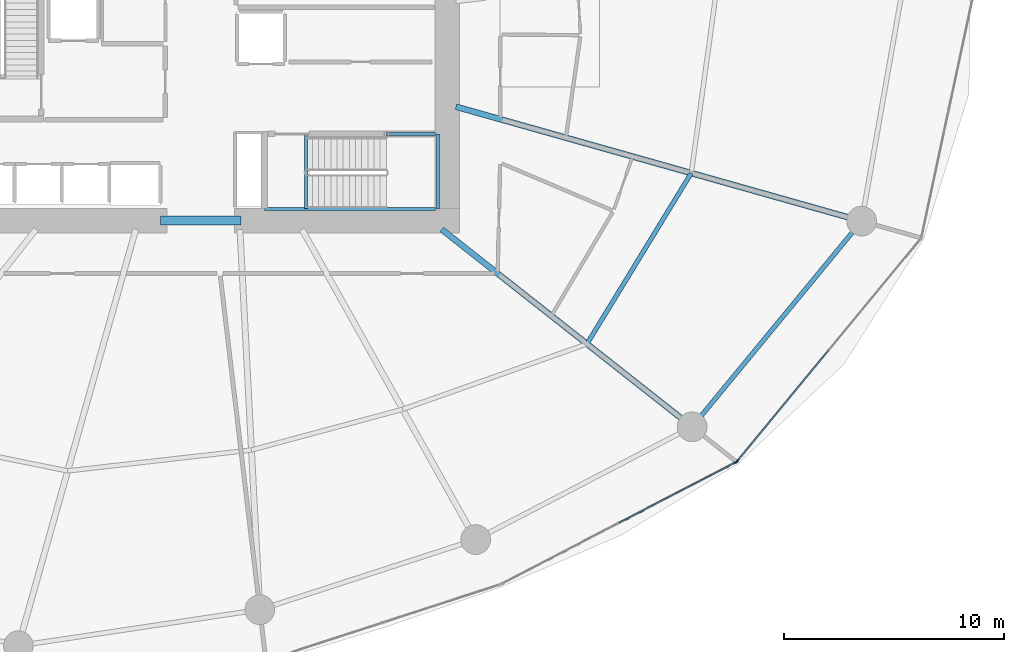
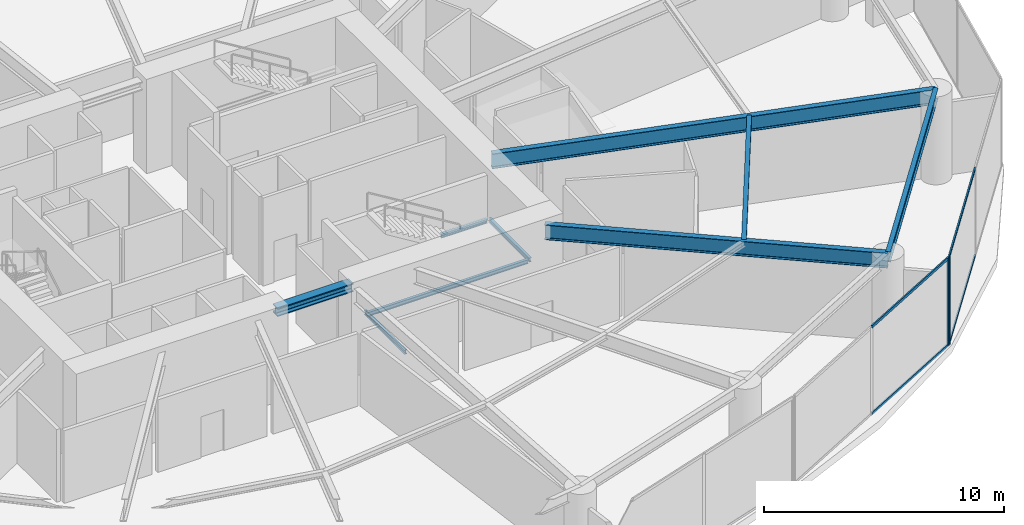
# One storey, part 10 of 22: 9 beams, 6 members, 2 elements without a shape of their own.
"""IFC4 building model written with IfcOpenShell, lengths in metres."""

from ifc_helpers import new_model, si_unit, direction, frame, origin, origin_2d, place, context, subcontext, project, spatial, rectangle, i_section, extrude, material, layer, layer_set, material_profile, profile_set, type_object, element, aggregate, save


model = new_model("IFC4")

# Units and contexts
model_context = context("Model", 3, precision=1e-05, world=origin(), true_north=direction((0.0, 1.0)))
body_context = subcontext(model_context, "Body", "Model", "MODEL_VIEW")
ifc_project = project(units=[si_unit("LENGTHUNIT", "METRE"), si_unit("AREAUNIT", "SQUARE_METRE"), si_unit("VOLUMEUNIT", "CUBIC_METRE"), si_unit("PLANEANGLEUNIT", "RADIAN"), si_unit("MASSUNIT", "GRAM", prefix="KILO")], contexts=[model_context])

# Site, building, storey
site_placement = place(None, origin())
site = spatial("IfcSite", under=ifc_project, at=site_placement, CompositionType="ELEMENT")
building_placement = place(site_placement, origin())
building = spatial("IfcBuilding", under=site, at=building_placement, Name="Kazma Halo Residences", CompositionType="ELEMENT")
storey_placement = place(building_placement, frame((0.0, 0.0, 7.199951171875)))
storey = spatial("IfcBuildingStorey", under=building, at=storey_placement, Name="L01", CompositionType="ELEMENT", Elevation=7.199951171875)

# Beams
ifc_material_1 = material(Name="Steel S355", Category="steel")
ifc_material_profile_1 = material_profile(ifc_material_1, i_section(OverallWidth=0.408935546875, OverallDepth=0.425048828125, WebThickness=0.03271484375, FlangeThickness=0.052490234375, FilletRadius=0.02001953125, at=origin_2d()), Name="W360x421")
ifc_profile_set_1 = profile_set([ifc_material_profile_1], Name="Steel S355")
beam_type_1 = type_object("IfcBeamType", Name="BM-CORE-W360H", PredefinedType="BEAM", material=ifc_profile_set_1)
beam_1_placement = place(storey_placement, frame((46.60009765625, 33.449951171875, 4.267578125), z_axis=(1.0, 0.0, 0.0), x_axis=(0.0, 1.0, 0.0)))
element("IfcBeam", 1, at=beam_1_placement, inside=storey, type_object=beam_type_1, Name="L01 core coupling beam S", PredefinedType="BEAM", context=body_context, shape_type="SweptSolid", body=[
    extrude(i_section(OverallWidth=0.408935546875, OverallDepth=0.425048828125, WebThickness=0.03271484375, FlangeThickness=0.052490234375, FilletRadius=0.02001953125, at=origin_2d()), origin(), (0.0, 0.0, 1.0), 3.64990234375),
])
ifc_material_profile_2 = material_profile(ifc_material_1, i_section(OverallWidth=0.26708984375, OverallDepth=0.761962890625, WebThickness=0.014404296875, FlangeThickness=0.021484375, FilletRadius=0.02001953125, at=origin_2d()), Name="W760x173")
ifc_profile_set_2 = profile_set([ifc_material_profile_2], Name="Steel S355")
beam_type_2 = type_object("IfcBeamType", Name="BM-POD-W760", PredefinedType="BEAM", material=ifc_profile_set_2)
beam_2_placement = place(storey_placement, frame((59.35302734375, 33.050048828125, 4.09912109375), z_axis=(0.785314311706, -0.619097271702, 0.0), x_axis=(0.619097271702, 0.785314311706, 0.0)))
element("IfcBeam", 2, at=beam_2_placement, inside=storey, type_object=beam_type_2, Name="L01 radial floor beam 14", PredefinedType="BEAM", context=body_context, shape_type="SweptSolid", body=[
    extrude(i_section(OverallWidth=0.26708984375, OverallDepth=0.761962890625, WebThickness=0.014404296875, FlangeThickness=0.021484375, FilletRadius=0.02001953125, at=origin_2d()), origin(), (0.0, 0.0, 1.0), 14.46044921875),
])
beam_3_placement = place(storey_placement, frame((60.0, 38.615478515625, 4.09912109375), z_axis=(0.962458146095, -0.271430132845, 0.0), x_axis=(0.271430132845, 0.962458146095, 0.0)))
element("IfcBeam", 3, at=beam_3_placement, inside=storey, type_object=beam_type_2, Name="L01 radial floor beam 15", PredefinedType="BEAM", context=body_context, shape_type="SweptSolid", body=[
    extrude(i_section(OverallWidth=0.26708984375, OverallDepth=0.761962890625, WebThickness=0.014404296875, FlangeThickness=0.021484375, FilletRadius=0.02001953125, at=origin_2d()), origin(), (0.0, 0.0, 1.0), 19.115234375),
])
ifc_material_profile_3 = material_profile(ifc_material_1, i_section(OverallWidth=0.202880859375, OverallDepth=0.302978515625, WebThickness=0.007568359375, FlangeThickness=0.01318359375, FilletRadius=0.013916015625, at=origin_2d()), Name="W310x60")
ifc_profile_set_3 = profile_set([ifc_material_profile_3], Name="Steel S355")
beam_type_3 = type_object("IfcBeamType", Name="BM-SEC-W310A", PredefinedType="JOIST", material=ifc_profile_set_3)
beam_4_placement = place(storey_placement, frame((65.939453125, 27.857666015625, 4.32861328125), z_axis=(0.521128000965, 0.853478533187, 0.0), x_axis=(-0.853478533187, 0.521128000965, 0.0)))
element("IfcBeam", 4, at=beam_4_placement, inside=storey, type_object=beam_type_3, Name="L01 circumferential floor joist 14", PredefinedType="JOIST", context=body_context, shape_type="SweptSolid", body=[
    extrude(i_section(OverallWidth=0.202880859375, OverallDepth=0.302978515625, WebThickness=0.007568359375, FlangeThickness=0.01318359375, FilletRadius=0.013916015625, at=origin_2d()), origin(), (0.0, 0.0, 1.0), 9.078857421875),
])
ifc_material_profile_4 = material_profile(ifc_material_1, i_section(OverallWidth=0.208984375, OverallDepth=0.532958984375, WebThickness=0.01025390625, FlangeThickness=0.015625, FilletRadius=0.01611328125, at=origin_2d()), Name="W530x92")
ifc_profile_set_4 = profile_set([ifc_material_profile_4], Name="Steel S355")
beam_type_4 = type_object("IfcBeamType", Name="BM-SPN-W530", PredefinedType="BEAM", material=ifc_profile_set_4)
beam_5_placement = place(storey_placement, frame((70.708984375, 24.09765625, 4.213623046875), z_axis=(0.635989643733, 0.771697591718, 0.0), x_axis=(-0.771697591718, 0.635989643733, 0.0)))
element("IfcBeam", 5, at=beam_5_placement, inside=storey, type_object=beam_type_4, Name="L01 perimeter ring beam 14", PredefinedType="BEAM", context=body_context, shape_type="SweptSolid", body=[
    extrude(i_section(OverallWidth=0.208984375, OverallDepth=0.532958984375, WebThickness=0.01025390625, FlangeThickness=0.015625, FilletRadius=0.01611328125, at=origin_2d()), origin(), (0.0, 0.0, 1.0), 12.08935546875),
])
ifc_material_profile_5 = material_profile(ifc_material_1, i_section(OverallWidth=0.133056640625, OverallDepth=0.20703125, WebThickness=0.005859375, FlangeThickness=0.00830078125, FilletRadius=0.010009765625, at=origin_2d()), Name="W200x26.6")
ifc_profile_set_5 = profile_set([ifc_material_profile_5], Name="Steel S355")
beam_type_5 = type_object("IfcBeamType", Name="BM-TRIM-W200", PredefinedType="BEAM", material=ifc_profile_set_5)
beam_6_placement = place(storey_placement, frame((53.199951171875, 34.0, -0.510009765625), z_axis=(0.0, 1.0, 0.0), x_axis=(-1.0, 0.0, 0.0)))
element("IfcBeam", 6, at=beam_6_placement, inside=storey, type_object=beam_type_5, Name="L01 ST-03 floor landing support beam", PredefinedType="BEAM", context=body_context, shape_type="SweptSolid", body=[
    extrude(i_section(OverallWidth=0.133056640625, OverallDepth=0.20703125, WebThickness=0.005859375, FlangeThickness=0.00830078125, FilletRadius=0.010009765625, at=origin_2d()), origin(), (0.0, 0.0, 1.0), 3.3798828125),
])
beam_7_placement = place(storey_placement, frame((51.31005859375, 33.97998046875, 2.094970703125), z_axis=(1.0, 0.0, 0.0), x_axis=(0.0, 1.0, 0.0)))
element("IfcBeam", 7, at=beam_7_placement, inside=storey, type_object=beam_type_5, Name="L01 ST-03 landing south wall ledger", PredefinedType="BEAM", context=body_context, shape_type="SweptSolid", body=[
    extrude(i_section(OverallWidth=0.133056640625, OverallDepth=0.20703125, WebThickness=0.005859375, FlangeThickness=0.00830078125, FilletRadius=0.010009765625, at=origin_2d()), origin(), (0.0, 0.0, 1.0), 7.760009765625),
])
beam_8_placement = place(storey_placement, frame((56.840087890625, 37.3798828125, 2.094970703125), z_axis=(1.0, 0.0, 0.0), x_axis=(0.0, 1.0, 0.0)))
element("IfcBeam", 8, at=beam_8_placement, inside=storey, type_object=beam_type_5, Name="L01 ST-03 landing north wall ledger", PredefinedType="BEAM", context=body_context, shape_type="SweptSolid", body=[
    extrude(i_section(OverallWidth=0.133056640625, OverallDepth=0.20703125, WebThickness=0.005859375, FlangeThickness=0.00830078125, FilletRadius=0.010009765625, at=origin_2d()), origin(), (0.0, 0.0, 1.0), 2.22998046875),
])
beam_9_placement = place(storey_placement, frame((59.18994140625, 33.97998046875, 2.094970703125), z_axis=(0.0, 1.0, 0.0), x_axis=(-1.0, 0.0, 0.0)))
element("IfcBeam", 9, at=beam_9_placement, inside=storey, type_object=beam_type_5, Name="L01 ST-03 landing end wall ledger", PredefinedType="BEAM", context=body_context, shape_type="SweptSolid", body=[
    extrude(i_section(OverallWidth=0.133056640625, OverallDepth=0.20703125, WebThickness=0.005859375, FlangeThickness=0.00830078125, FilletRadius=0.010009765625, at=origin_2d()), origin(), (0.0, 0.0, 1.0), 3.39990234375),
])

# Curtain wall, member
ifc_material_2 = material(Name="Aluminium AW-6063 T6 and Triple-Silver Low-E Glass", Category="aluminium")
ifc_layer = layer(ifc_material_2, 0.179931640625)
ifc_layer_set = layer_set([ifc_layer], Name="Aluminium AW-6063 T6 and Triple-Silver Low-E Glass")
curtain_wall_type = type_object("IfcCurtainWallType", Name="CW-SYS-1", PredefinedType="NOTDEFINED", material=ifc_layer_set)
curtain_wall_1_placement = place(storey_placement, origin())
curtain_wall_1 = element("IfcCurtainWall", 10, at=curtain_wall_1_placement, inside=storey, type_object=curtain_wall_type, Name="L01 unitised curtain wall B13", PredefinedType="NOTDEFINED")
ifc_material_3 = material(Name="Aluminium AW-6063 T6", Category="aluminium")
ifc_material_profile_6 = material_profile(ifc_material_3, rectangle(XDim=0.06494140625, YDim=0.179931640625, at=origin_2d()), Name="CWM-65x180")
ifc_profile_set_6 = profile_set([ifc_material_profile_6], Name="Aluminium AW-6063 T6")
member_type_1 = type_object("IfcMemberType", Name="CW-SYS-1-MUL", PredefinedType="MULLION", material=ifc_profile_set_6)
member_1_placement = place(storey_placement, frame((72.6953125, 22.493896484375, 0.0), z_axis=(0.0, 0.0, 1.0), x_axis=(-0.46108680311, 0.887355036047, 0.0)))
member_1 = element("IfcMember", 11, at=member_1_placement, type_object=member_type_1, Name="CWS-1 mullion 3", PredefinedType="MULLION", context=body_context, shape_type="SweptSolid", body=[
    extrude(rectangle(XDim=0.06494140625, YDim=0.179931640625, at=origin_2d()), origin(), (0.0, 0.0, 1.0), 4.47998046875),
])

curtain_wall_2_placement = place(storey_placement, origin())
curtain_wall_2 = element("IfcCurtainWall", 12, at=curtain_wall_2_placement, inside=storey, type_object=curtain_wall_type, Name="L01 unitised curtain wall B14", PredefinedType="NOTDEFINED")
member_2_placement = place(storey_placement, frame((72.744873046875, 22.5341796875, 0.0), z_axis=(0.0, 0.0, 1.0), x_axis=(-0.771191775002, 0.636602895194, 0.0)))
member_2 = element("IfcMember", 13, at=member_2_placement, type_object=member_type_1, Name="CWS-1 mullion 1", PredefinedType="MULLION", context=body_context, shape_type="SweptSolid", body=[
    extrude(rectangle(XDim=0.06494140625, YDim=0.179931640625, at=origin_2d()), origin(), (0.0, 0.0, 1.0), 4.47998046875),
])

# Member
ifc_material_profile_7 = material_profile(ifc_material_3, rectangle(XDim=0.06494140625, YDim=0.135009765625, at=origin_2d()), Name="CWT-65x135")
ifc_profile_set_7 = profile_set([ifc_material_profile_7], Name="Aluminium AW-6063 T6")
member_type_2 = type_object("IfcMemberType", Name="CW-SYS-1-TRN", PredefinedType="USERDEFINED", material=ifc_profile_set_7)
member_3_placement = place(storey_placement, frame((67.405029296875, 19.7451171875, 0.032470703125), z_axis=(0.887360351848, 0.461076572781, 0.0), x_axis=(-0.461076572781, 0.887360351848, 0.0)))
member_3 = element("IfcMember", 14, at=member_3_placement, type_object=member_type_2, Name="CWS-1 transom 2.1", ObjectType="TRANSOM", PredefinedType="USERDEFINED", context=body_context, shape_type="SweptSolid", body=[
    extrude(rectangle(XDim=0.06494140625, YDim=0.135009765625, at=origin_2d()), origin(), (0.0, 0.0, 1.0), 5.929443359375),
])

member_4_placement = place(storey_placement, frame((67.405029296875, 19.7451171875, 4.447509765625), z_axis=(0.887360351848, 0.461076572781, 0.0), x_axis=(-0.461076572781, 0.887360351848, 0.0)))
member_4 = element("IfcMember", 15, at=member_4_placement, type_object=member_type_2, Name="CWS-1 transom 2.2", ObjectType="TRANSOM", PredefinedType="USERDEFINED", context=body_context, shape_type="SweptSolid", body=[
    extrude(rectangle(XDim=0.06494140625, YDim=0.135009765625, at=origin_2d()), origin(), (0.0, 0.0, 1.0), 5.929443359375),
])

aggregate(curtain_wall_1, [member_1, member_3, member_4])

member_5_placement = place(storey_placement, frame((72.765625, 22.55908203125, 0.032470703125), z_axis=(0.636593466061, 0.771199558459, 0.0), x_axis=(-0.771199558459, 0.636593466061, 0.0)))
member_5 = element("IfcMember", 16, at=member_5_placement, type_object=member_type_2, Name="CWS-1 transom 1.1", ObjectType="TRANSOM", PredefinedType="USERDEFINED", context=body_context, shape_type="SweptSolid", body=[
    extrude(rectangle(XDim=0.06494140625, YDim=0.135009765625, at=origin_2d()), origin(), (0.0, 0.0, 1.0), 6.48583984375),
])

member_6_placement = place(storey_placement, frame((72.765625, 22.55908203125, 4.447509765625), z_axis=(0.636593466061, 0.771199558459, 0.0), x_axis=(-0.771199558459, 0.636593466061, 0.0)))
member_6 = element("IfcMember", 17, at=member_6_placement, type_object=member_type_2, Name="CWS-1 transom 1.2", ObjectType="TRANSOM", PredefinedType="USERDEFINED", context=body_context, shape_type="SweptSolid", body=[
    extrude(rectangle(XDim=0.06494140625, YDim=0.135009765625, at=origin_2d()), origin(), (0.0, 0.0, 1.0), 6.48583984375),
])

aggregate(curtain_wall_2, [member_2, member_5, member_6])

save(model, "model.ifc")
